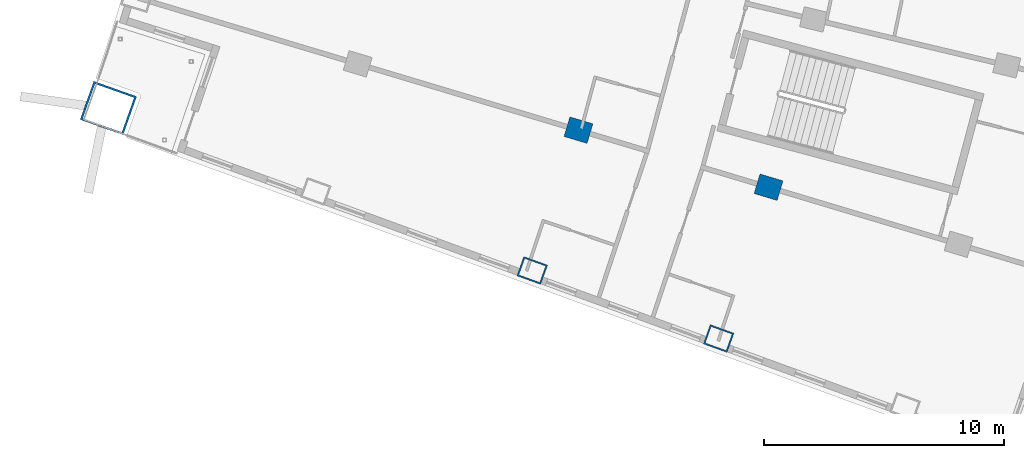
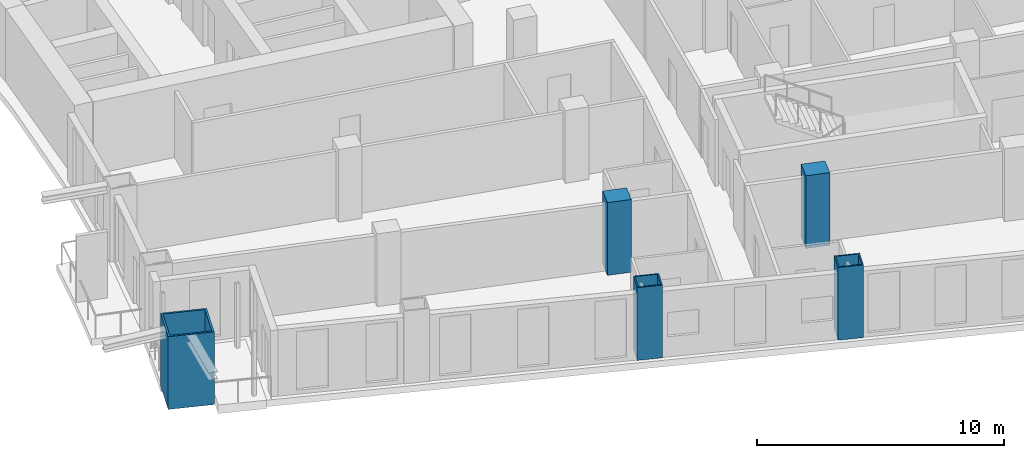
# One storey, part 2 of 25: 5 columns.
"""IFC4 building model written with IfcOpenShell, lengths in metres."""

from ifc_helpers import new_model, si_unit, direction, frame, origin, origin_2d, place, context, subcontext, project, spatial, rectangle, hollow_rectangle, extrude, material, material_profile, profile_set, type_object, element, save


model = new_model("IFC4")

# Units and contexts
model_context = context("Model", 3, precision=1e-05, world=origin(), true_north=direction((0.0, 1.0)))
body_context = subcontext(model_context, "Body", "Model", "MODEL_VIEW")
ifc_project = project(units=[si_unit("LENGTHUNIT", "METRE"), si_unit("AREAUNIT", "SQUARE_METRE"), si_unit("VOLUMEUNIT", "CUBIC_METRE"), si_unit("PLANEANGLEUNIT", "RADIAN"), si_unit("MASSUNIT", "GRAM", prefix="KILO")], contexts=[model_context])

# Site, building, storey
site_placement = place(None, origin())
site = spatial("IfcSite", under=ifc_project, at=site_placement, CompositionType="ELEMENT")
building_placement = place(site_placement, origin())
building = spatial("IfcBuilding", under=site, at=building_placement, Name="Alderwake Tower", CompositionType="ELEMENT")
storey_placement = place(building_placement, frame((0.0, 0.0, 122.0)))
storey = spatial("IfcBuildingStorey", under=building, at=storey_placement, Name="L30", CompositionType="ELEMENT", Elevation=122.0)

# Columns
ifc_material_1 = material(Name="Steel ASTM A572 Grade 50 concrete filled C70/85", Category="concrete")
ifc_material_profile_1 = material_profile(ifc_material_1, hollow_rectangle(XDim=0.85009765625, YDim=1.050048828125, WallThickness=0.06005859375, at=origin_2d()), Name="BOX 1050X850X60")
ifc_profile_set_1 = profile_set([ifc_material_profile_1], Name="Steel ASTM A572 Grade 50 concrete filled C70/85")
column_type_1 = type_object("IfcColumnType", Name="End column Z2", PredefinedType="COLUMN", material=ifc_profile_set_1)
for number, where, z_axis, x_axis, name in (
    (1, (28.983642578125, 21.856689453125, 0.0), (0.0, 0.0, 1.0), (0.338026774049, 0.941136493834, 0.0), "Column R01-C2"),
    (2, (36.749267578125, 19.02197265625, 0.0), (0.0, 0.0, 1.0), (0.338351987283, 0.941019623973, 0.0), "Column R01-C3"),
):
    element("IfcColumn", number, at=place(storey_placement, frame(where, z_axis=z_axis, x_axis=x_axis)), inside=storey, type_object=column_type_1, Name=name, PredefinedType="COLUMN", context=body_context, shape_type="SweptSolid", body=[
        extrude(hollow_rectangle(XDim=0.85009765625, YDim=1.050048828125, WallThickness=0.06005859375, at=origin_2d()), origin(), (0.0, 0.0, 1.0), 3.60009765625),
    ])
ifc_material_2 = material(Name="Concrete C70/85", Category="concrete")
ifc_material_profile_2 = material_profile(ifc_material_2, rectangle(XDim=0.85009765625, YDim=1.0, at=origin_2d()), Name="RC 1000X850")
ifc_profile_set_2 = profile_set([ifc_material_profile_2], Name="Concrete C70/85")
column_type_2 = type_object("IfcColumnType", Name="Interior column Z2", PredefinedType="COLUMN", material=ifc_profile_set_2)
for number, where, z_axis, x_axis, name in (
    (3, (30.9091796875, 27.701904296875, 0.0), (0.0, 0.0, 1.0), (0.287549418125, 0.957765802342, 0.0), "Column R02-C2"),
    (4, (38.826904296875, 25.32470703125, 0.0), (0.0, 0.0, 1.0), (0.287547746508, 0.957766304209, 0.0), "Column R02-C3"),
):
    element("IfcColumn", number, at=place(storey_placement, frame(where, z_axis=z_axis, x_axis=x_axis)), inside=storey, type_object=column_type_2, Name=name, PredefinedType="COLUMN", context=body_context, shape_type="SweptSolid", body=[
        extrude(rectangle(XDim=0.85009765625, YDim=1.0, at=origin_2d()), origin(), (0.0, 0.0, 1.0), 3.60009765625),
    ])
ifc_material_3 = material(Name="Steel ASTM A572 Grade 50 concrete filled C70/85", Category="concrete")
ifc_material_profile_3 = material_profile(ifc_material_3, hollow_rectangle(XDim=1.699951171875, YDim=1.89990234375, WallThickness=0.0849609375, at=origin_2d()), Name="BOX 1900X1700X85")
ifc_profile_set_3 = profile_set([ifc_material_profile_3], Name="Steel ASTM A572 Grade 50 concrete filled C70/85")
column_type_3 = type_object("IfcColumnType", Name="Mega column Z2", PredefinedType="COLUMN", material=ifc_profile_set_3)
column_placement = place(storey_placement, frame((11.330810546875, 28.622802734375, 0.0), z_axis=(0.0, 0.0, 1.0), x_axis=(0.334130947791, 0.942526662609, 0.0)))
element("IfcColumn", 5, at=column_placement, inside=storey, type_object=column_type_3, Name="Column R01-C0", PredefinedType="COLUMN", context=body_context, shape_type="SweptSolid", body=[
    extrude(hollow_rectangle(XDim=1.699951171875, YDim=1.89990234375, WallThickness=0.0849609375, at=origin_2d()), origin(), (0.0, 0.0, 1.0), 3.60009765625),
])

save(model, "model.ifc")
